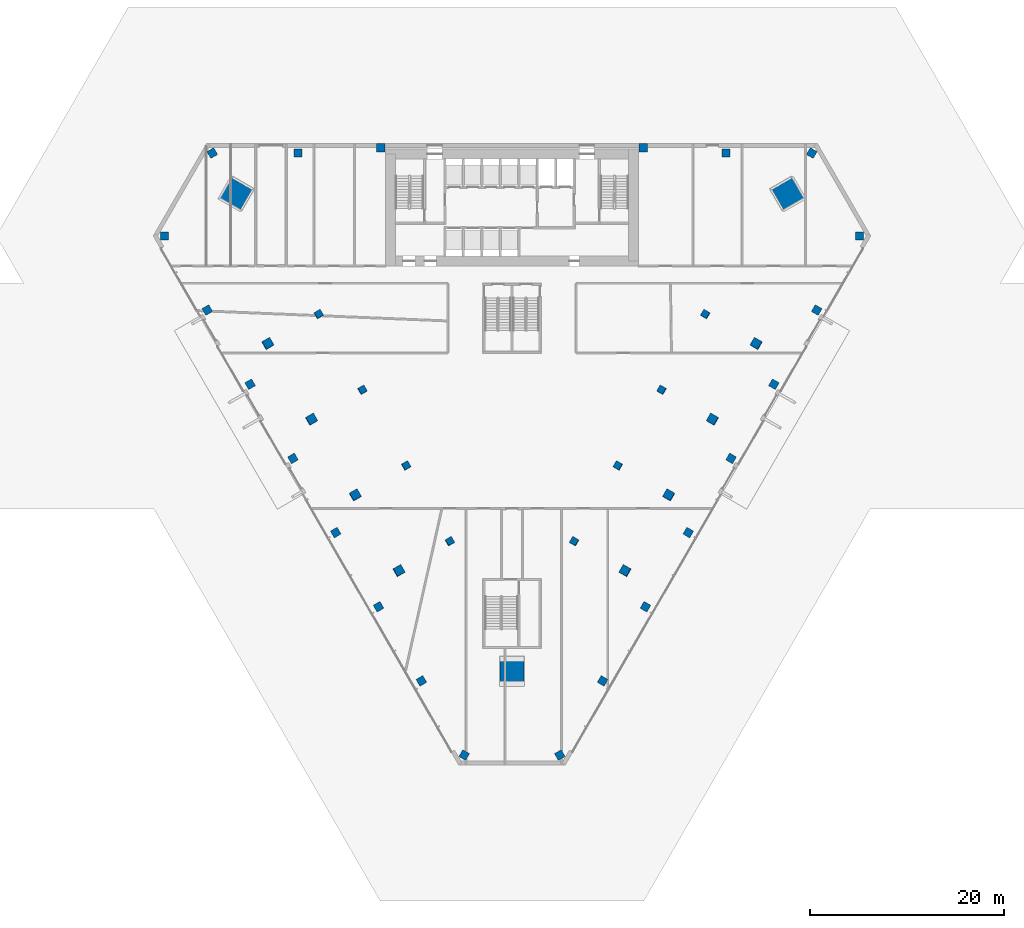
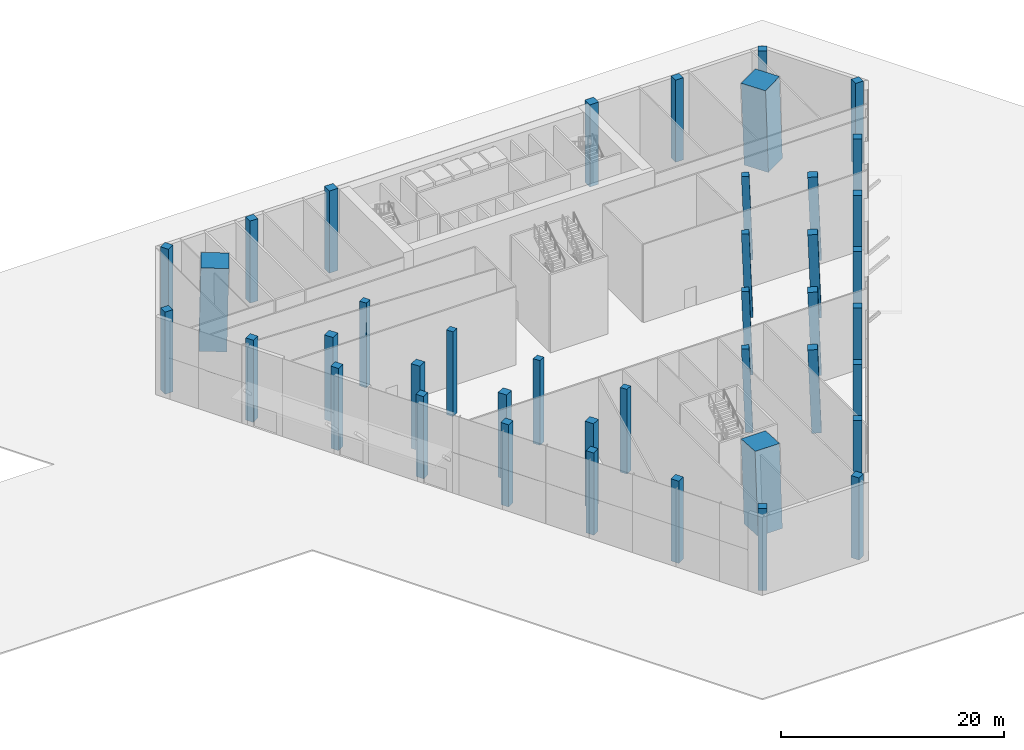
# One storey, part 1 of 21: 41 columns.
"""IFC4 building model written with IfcOpenShell, lengths in metres."""

from ifc_helpers import new_model, si_unit, direction, frame, origin, origin_2d, place, context, subcontext, project, spatial, rectangle, extrude, material, material_profile, profile_set, type_object, element, save


model = new_model("IFC4")

# Units and contexts
model_context = context("Model", 3, precision=1e-05, world=origin(), true_north=direction((0.0, 1.0)))
body_context = subcontext(model_context, "Body", "Model", "MODEL_VIEW")
ifc_project = project(units=[si_unit("LENGTHUNIT", "METRE"), si_unit("AREAUNIT", "SQUARE_METRE"), si_unit("VOLUMEUNIT", "CUBIC_METRE"), si_unit("PLANEANGLEUNIT", "RADIAN"), si_unit("MASSUNIT", "GRAM", prefix="KILO")], contexts=[model_context])

# Site, building, storey
site_placement = place(None, origin())
site = spatial("IfcSite", under=ifc_project, at=site_placement, CompositionType="ELEMENT")
building_placement = place(site_placement, origin())
building = spatial("IfcBuilding", under=site, at=building_placement, Name="Altiplano Prism Tower", CompositionType="ELEMENT")
storey_placement = place(building_placement, origin())
storey = spatial("IfcBuildingStorey", under=building, at=storey_placement, Name="L00", CompositionType="ELEMENT", Elevation=0.0)

# Columns
ifc_material_1 = material(Name="Concrete C60/75", Category="concrete")
ifc_material_profile_1 = material_profile(ifc_material_1, rectangle(XDim=0.699951171875, YDim=0.699951171875, at=origin_2d()), Name="Inner column 700")
ifc_profile_set_1 = profile_set([ifc_material_profile_1], Name="Concrete C60/75")
column_type_1 = type_object("IfcColumnType", Name="Inner column 700", PredefinedType="COLUMN", material=ifc_profile_set_1)
for number, where, z_axis, x_axis, name in (
    (1, (65.09228515625, 87.4013671875, -0.021240234375), (0.022194887079, 0.038454877613, 0.999013818411), (-0.865530914075, -0.499377310062, 0.038451774675), "Inner column I11 L00"),
    (2, (69.59228515625, 79.607177734375, -0.021240234375), (0.022194887079, 0.038454877613, 0.999013818411), (-0.865530285299, -0.49937839772, 0.038451802572), "Inner column I12 L00"),
    (3, (74.09228515625, 71.81298828125, -0.021240234375), (0.022194887079, 0.038454877613, 0.999013818411), (-0.865530285299, -0.49937839772, 0.038451802572), "Inner column I13 L00"),
    (4, (78.59228515625, 64.018798828125, -0.021240234375), (0.022194910201, 0.038427817661, 0.999014859144), (-0.865682519448, -0.49911601041, 0.038431545307), "Inner column I14 L00"),
    (5, (91.40771484375, 64.018798828125, -0.021240234375), (-0.022194910201, 0.038427817661, 0.999014859144), (-0.500101151252, -0.865682684927, 0.022188454979), "Inner column I21 L00"),
    (6, (95.90771484375, 71.81298828125, -0.021240234375), (-0.022194887079, 0.038454877613, 0.999013818411), (-0.500366452486, -0.865529067922, 0.022200130827), "Inner column I22 L00"),
    (7, (100.40771484375, 79.607177734375, -0.021240234375), (-0.022194887079, 0.038454877613, 0.999013818411), (-0.50036643738, -0.865529076638, 0.022200131498), "Inner column I23 L00"),
    (8, (104.90771484375, 87.4013671875, -0.021240234375), (-0.022194887079, 0.038454877613, 0.999013818411), (-0.50036536483, -0.865529695461, 0.022200179147), "Inner column I24 L00"),
):
    element("IfcColumn", number, at=place(storey_placement, frame(where, z_axis=z_axis, x_axis=x_axis)), inside=storey, type_object=column_type_1, Name=name, PredefinedType="COLUMN", context=body_context, shape_type="SweptSolid", body=[
        extrude(rectangle(XDim=0.699951171875, YDim=0.699951171875, at=origin_2d()), origin(), (0.0, 0.0, 1.0), 9.0087890625),
    ])
ifc_material_2 = material(Name="Concrete C70/85", Category="concrete")
ifc_material_profile_2 = material_profile(ifc_material_2, rectangle(XDim=2.52001953125, YDim=2.52001953125, at=origin_2d()), Name="Mega column infill 2600")
ifc_profile_set_2 = profile_set([ifc_material_profile_2], Name="Concrete C70/85")
column_type_2 = type_object("IfcColumnType", Name="Mega column infill 2600", PredefinedType="COLUMN", material=ifc_profile_set_2)
column_1_placement = place(storey_placement, frame((56.48583984375, 99.77001953125, 0.0), z_axis=(0.028389030864, 0.009246093147, 0.999554186969), x_axis=(-0.865623766026, 0.500297112661, 0.01995732334)))
element("IfcColumn", 9, at=column_1_placement, inside=storey, type_object=column_type_2, Name="Mega column M0 L00", PredefinedType="COLUMN", context=body_context, shape_type="SweptSolid", body=[
    extrude(rectangle(XDim=2.52001953125, YDim=2.52001953125, at=origin_2d()), origin(), (0.0, 0.0, 1.0), 9.00390625),
])
column_2_placement = place(storey_placement, frame((85.0, 50.382080078125, 0.0), z_axis=(0.0, 0.05835848564, 0.998295691243), x_axis=(-1.0, 0.0, 0.0)))
element("IfcColumn", 10, at=column_2_placement, inside=storey, type_object=column_type_2, Name="Mega column M1 L00", PredefinedType="COLUMN", context=body_context, shape_type="SweptSolid", body=[
    extrude(rectangle(XDim=2.52001953125, YDim=2.52001953125, at=origin_2d()), origin(), (0.0, 0.0, 1.0), 9.015380859375),
])
column_3_placement = place(storey_placement, frame((113.51416015625, 99.77001953125, 0.0), z_axis=(-0.028389030864, 0.009246093147, 0.999554186969), x_axis=(0.499888549291, -0.86580500504, 0.022206565154)))
element("IfcColumn", 11, at=column_3_placement, inside=storey, type_object=column_type_2, Name="Mega column M2 L00", PredefinedType="COLUMN", context=body_context, shape_type="SweptSolid", body=[
    extrude(rectangle(XDim=2.52001953125, YDim=2.52001953125, at=origin_2d()), origin(), (0.0, 0.0, 1.0), 9.00390625),
])
ifc_material_profile_3 = material_profile(ifc_material_1, rectangle(XDim=0.89990234375, YDim=0.89990234375, at=origin_2d()), Name="Perimeter column 900")
ifc_profile_set_3 = profile_set([ifc_material_profile_3], Name="Concrete C60/75")
column_type_3 = type_object("IfcColumnType", Name="Perimeter column 900", PredefinedType="COLUMN", material=ifc_profile_set_3)
for number, where, z_axis, x_axis, name in (
    (12, (98.5, 104.550048828125, 0.0), (0.0, 0.0, 1.0), (1.0, 0.0, 0.0), "Perimeter column P01 L00"),
    (13, (71.5, 104.550048828125, 0.0), (0.0, 0.0, 1.0), (1.0, 0.0, 0.0), "Perimeter column P04 L00"),
):
    element("IfcColumn", number, at=place(storey_placement, frame(where, z_axis=z_axis, x_axis=x_axis)), inside=storey, type_object=column_type_3, Name=name, PredefinedType="COLUMN", context=body_context, shape_type="SweptSolid", body=[
        extrude(rectangle(XDim=0.89990234375, YDim=0.89990234375, at=origin_2d()), origin(), (0.0, 0.0, 1.0), 9.0),
    ])
for number, where, z_axis, x_axis, name in (
    (14, (59.8525390625, 84.376220703125, -0.02734375), (0.022221973689, 0.038454854469, 0.999013217156), (-0.865794426791, -0.498919402852, 0.038463489112), "Perimeter column P11 L00"),
    (15, (64.3525390625, 76.58203125, -0.02734375), (0.022221996839, 0.038427794534, 0.999014257888), (-0.865946614606, -0.49865677384, 0.038443238099), "Perimeter column P12 L00"),
    (16, (68.8525390625, 68.787841796875, -0.02734375), (0.022221996839, 0.038427794534, 0.999014257888), (-0.865946614606, -0.49865677384, 0.038443238099), "Perimeter column P13 L00"),
    (17, (73.3525390625, 60.993408203125, -0.02734375), (0.022221973689, 0.038454854469, 0.999013217156), (-0.865793187837, -0.498921548608, 0.038463544149), "Perimeter column P14 L00"),
    (18, (96.6474609375, 60.993408203125, -0.02734375), (-0.022221973689, 0.038454854469, 0.999013217156), (-0.499908331377, -0.86579357384, 0.022206929513), "Perimeter column P21 L00"),
    (19, (101.1474609375, 68.787841796875, -0.02734375), (-0.022221996839, 0.038427794534, 0.999014257888), (-0.499644389802, -0.865946220878, 0.022195186132), "Perimeter column P22 L00"),
    (20, (105.6474609375, 76.58203125, -0.02734375), (-0.022221996839, 0.038427794534, 0.999014257888), (-0.499644374688, -0.865946229581, 0.022195186803), "Perimeter column P23 L00"),
    (21, (110.1474609375, 84.376220703125, -0.02734375), (-0.022221973689, 0.038454854469, 0.999013217156), (-0.499908044269, -0.865793739288, 0.022206942268), "Perimeter column P24 L00"),
):
    element("IfcColumn", number, at=place(storey_placement, frame(where, z_axis=z_axis, x_axis=x_axis)), inside=storey, type_object=column_type_3, Name=name, PredefinedType="COLUMN", context=body_context, shape_type="SweptSolid", body=[
        extrude(rectangle(XDim=0.89990234375, YDim=0.89990234375, at=origin_2d()), origin(), (0.0, 0.0, 1.0), 9.0087890625),
    ])
ifc_material_profile_4 = material_profile(ifc_material_1, rectangle(XDim=0.800048828125, YDim=0.800048828125, at=origin_2d()), Name="Podium column 800")
ifc_profile_set_4 = profile_set([ifc_material_profile_4], Name="Concrete C60/75")
column_type_4 = type_object("IfcColumnType", Name="Podium column 800", PredefinedType="COLUMN", material=ifc_profile_set_4)
for number, where, z_axis, x_axis, name in (
    (22, (115.85791015625, 104.0, 0.0), (0.0, 0.0, 1.0), (0.500000015115, 0.866025395058, 0.0), "PC Q01 L00"),
    (23, (107.041259765625, 104.0, 0.0), (0.0, 0.0, 1.0), (1.0, 0.0, 0.0), "PC Q02 L00"),
    (24, (62.958740234375, 104.0, 0.0), (0.0, 0.0, 1.0), (1.0, 0.0, 0.0), "PC Q07 L00"),
    (25, (54.14208984375, 104.0, 0.0), (0.0, 0.0, 1.0), (0.866025395058, 0.500000015115, 0.0), "PC Q08 L00"),
    (26, (49.219482421875, 95.4736328125, 0.0), (0.0, 0.0, 1.0), (1.0, 1.7453e-08, 0.0), "PC Q09 L00"),
    (27, (53.627685546875, 87.83837890625, 0.0), (0.0, 0.0, 1.0), (0.866025412511, 0.499999984885, 0.0), "PC Q10 L00"),
    (28, (58.035888671875, 80.203125, 0.0), (0.0, 0.0, 1.0), (0.866025412511, 0.499999984885, 0.0), "PC Q11 L00"),
    (29, (62.4443359375, 72.567626953125, 0.0), (0.0, 0.0, 1.0), (0.866025412511, 0.499999984885, 0.0), "PC Q12 L00"),
    (30, (66.8525390625, 64.932373046875, 0.0), (0.0, 0.0, 1.0), (0.866025412511, 0.499999984885, 0.0), "PC Q13 L00"),
    (31, (71.2607421875, 57.296875, 0.0), (0.0, 0.0, 1.0), (0.866025412511, 0.499999984885, 0.0), "PC Q14 L00"),
    (32, (75.669189453125, 49.66162109375, 0.0), (0.0, 0.0, 1.0), (0.866025412511, 0.499999984885, 0.0), "PC Q15 L00"),
    (33, (80.077392578125, 42.0263671875, 0.0), (0.0, 0.0, 1.0), (0.5, 0.866025403784, 0.0), "PC Q16 L00"),
    (34, (89.922607421875, 42.0263671875, 0.0), (0.0, 0.0, 1.0), (0.866025403784, 0.5, 0.0), "PC Q17 L00"),
    (35, (94.330810546875, 49.66162109375, 0.0), (0.0, 0.0, 1.0), (0.499999984885, 0.866025412511, 0.0), "PC Q18 L00"),
    (36, (98.7392578125, 57.296875, 0.0), (0.0, 0.0, 1.0), (0.499999984885, 0.866025412511, 0.0), "PC Q19 L00"),
    (37, (103.1474609375, 64.932373046875, 0.0), (0.0, 0.0, 1.0), (0.499999984885, 0.866025412511, 0.0), "PC Q20 L00"),
    (38, (107.5556640625, 72.567626953125, 0.0), (0.0, 0.0, 1.0), (0.499999984885, 0.866025412511, 0.0), "PC Q21 L00"),
    (39, (111.964111328125, 80.203125, 0.0), (0.0, 0.0, 1.0), (0.499999984885, 0.866025412511, 0.0), "PC Q22 L00"),
    (40, (116.372314453125, 87.83837890625, 0.0), (0.0, 0.0, 1.0), (0.499999984885, 0.866025412511, 0.0), "PC Q23 L00"),
    (41, (120.780517578125, 95.4736328125, 0.0), (0.0, 0.0, 1.0), (1.7453e-08, 1.0, 0.0), "PC Q24 L00"),
):
    element("IfcColumn", number, at=place(storey_placement, frame(where, z_axis=z_axis, x_axis=x_axis)), inside=storey, type_object=column_type_4, Name=name, PredefinedType="COLUMN", context=body_context, shape_type="SweptSolid", body=[
        extrude(rectangle(XDim=0.800048828125, YDim=0.800048828125, at=origin_2d()), origin(), (0.0, 0.0, 1.0), 9.0),
    ])

save(model, "model.ifc")
